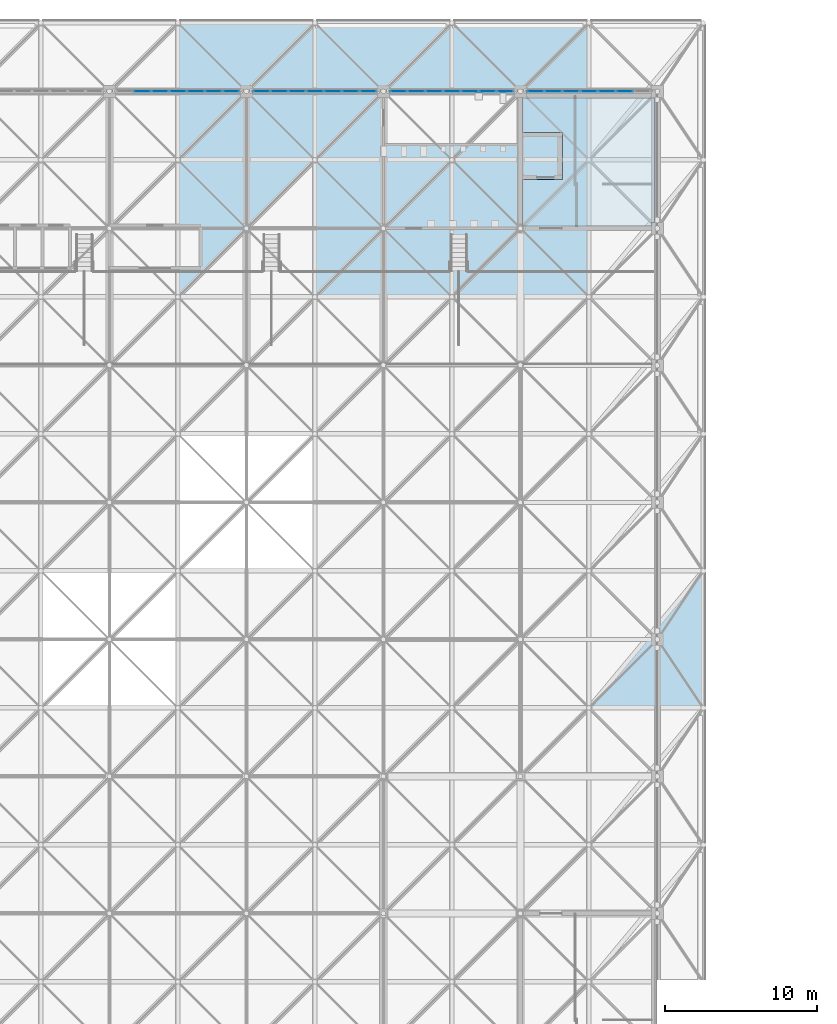
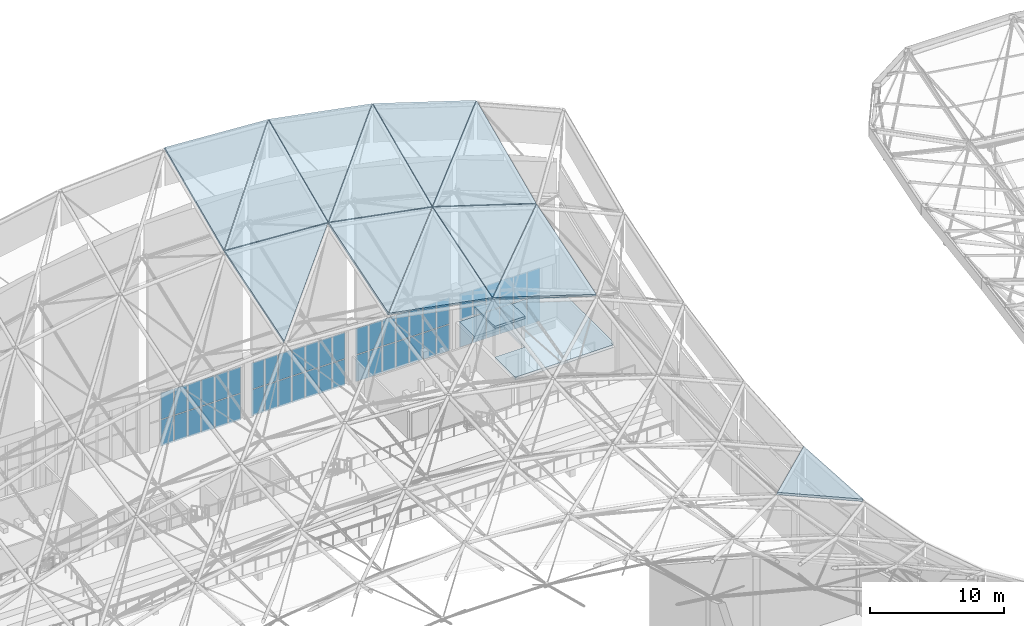
# One storey, part 244 of 437: 52 plates, 14 slabs, 4 elements without a shape of their own.
"""IFC4 building model written with IfcOpenShell, lengths in metres."""

from ifc_helpers import new_model, si_unit, direction, frame, origin, origin_2d, place, context, subcontext, project, spatial, polyline, rectangle, outline, extrude, material, layer, layer_set, type_object, element, aggregate, save


model = new_model("IFC4")

# Units and contexts
model_context = context("Model", 3, precision=1e-05, world=origin(), true_north=direction((0.0, 1.0)))
body_context = subcontext(model_context, "Body", "Model", "MODEL_VIEW")
ifc_project = project(units=[si_unit("LENGTHUNIT", "METRE"), si_unit("AREAUNIT", "SQUARE_METRE"), si_unit("VOLUMEUNIT", "CUBIC_METRE"), si_unit("PLANEANGLEUNIT", "RADIAN"), si_unit("MASSUNIT", "GRAM", prefix="KILO")], contexts=[model_context])

# Site, building, storey
site_placement = place(None, origin())
site = spatial("IfcSite", under=ifc_project, at=site_placement, CompositionType="ELEMENT")
building_placement = place(site_placement, origin())
building = spatial("IfcBuilding", under=site, at=building_placement, Name="Opaline Strait Convention Centre", CompositionType="ELEMENT")
storey_placement = place(building_placement, frame((0.0, 0.0, 11.5)))
storey = spatial("IfcBuildingStorey", under=building, at=storey_placement, Name="L02", CompositionType="ELEMENT", Elevation=11.5)

# Slabs
ifc_material_1 = material(Name="Concrete C35", Category="concrete")
ifc_layer_1 = layer(ifc_material_1, 0.199951171875)
ifc_layer_set_1 = layer_set([ifc_layer_1], Name="Concrete C35")
slab_type_1 = type_object("IfcSlabType", Name="Core roof slab 200", PredefinedType="ROOF", material=ifc_layer_set_1)
slab_1_placement = place(storey_placement, frame((0.0, 0.0, 5.10009765625)))
element("IfcSlab", 1, at=slab_1_placement, inside=storey, type_object=slab_type_1, Name="PFS10 NE lift shaft head slab", PredefinedType="ROOF", context=body_context, shape_type="SweptSolid", body=[
    extrude(outline(polyline([(63.14990234375, 174.199951171875), (65.75, 174.199951171875), (65.75, 177.300048828125), (63.14990234375, 177.300048828125), (63.14990234375, 174.199951171875)])), origin(), (0.0, 0.0, 1.0), 0.199951171875),
])
ifc_layer_2 = layer(ifc_material_1, 0.25)
ifc_layer_set_2 = layer_set([ifc_layer_2], Name="Concrete C35")
slab_type_2 = type_object("IfcSlabType", Name="Core roof slab 250", PredefinedType="ROOF", material=ifc_layer_set_2)
slab_2_placement = place(storey_placement, frame((0.0, 0.0, 2.25)))
element("IfcSlab", 2, at=slab_2_placement, inside=storey, type_object=slab_type_2, Name="PFS10 NE core roof slab", PredefinedType="ROOF", context=body_context, shape_type="SweptSolid", body=[
    extrude(outline(polyline([(63.14990234375, 179.550048828125), (71.800048828125, 179.550048828125), (71.800048828125, 171.39990234375), (71.60009765625, 171.39990234375), (71.60009765625, 171.14990234375), (63.14990234375, 171.14990234375), (63.14990234375, 174.199951171875), (65.75, 174.199951171875), (65.75, 177.300048828125), (63.14990234375, 177.300048828125), (63.14990234375, 179.550048828125)])), origin(), (0.0, 0.0, 1.0), 0.25),
])

# Curtain wall, plates
ifc_material_2 = material(Name="Aluminium framed double glazing", Category="aluminium")
ifc_layer_3 = layer(ifc_material_2, 0.199951171875)
ifc_layer_set_3 = layer_set([ifc_layer_3], Name="Aluminium framed double glazing")
curtain_wall_type = type_object("IfcCurtainWallType", Name="Curtain wall 1250", PredefinedType="NOTDEFINED", material=ifc_layer_set_3)
curtain_wall_1_placement = place(storey_placement, origin())
curtain_wall_1 = element("IfcCurtainWall", 3, at=curtain_wall_1_placement, inside=storey, type_object=curtain_wall_type, Name="Curtain wall N-36-L02", PredefinedType="NOTDEFINED")
ifc_material_3 = material(Name="Double glazed unit low emissivity", Category="glass")
ifc_layer_4 = layer(ifc_material_3, 0.028076171875)
ifc_layer_set_4 = layer_set([ifc_layer_4], Name="Double glazed unit low emissivity")
plate_type = type_object("IfcPlateType", Name="Curtain wall glass panel 28", PredefinedType="CURTAIN_PANEL", material=ifc_layer_set_4)
plate_1_placement = place(storey_placement, frame((38.156982421875, 180.0, -0.219970703125), z_axis=(0.0, 0.0, 1.0), x_axis=(1.0, 0.0, 0.0)))
plate_1 = element("IfcPlate", 4, at=plate_1_placement, type_object=plate_type, Name="PCW panel 2.1", PredefinedType="CURTAIN_PANEL", context=body_context, shape_type="SweptSolid", body=[
    extrude(rectangle(XDim=1.111572265625, YDim=0.028076171875, at=origin_2d()), origin(), (0.0, 0.0, 1.0), 2.39990234375),
])
plate_2_placement = place(storey_placement, frame((38.156982421875, 180.0, 2.239990234375), z_axis=(0.0, 0.0, 1.0), x_axis=(1.0, 0.0, 0.0)))
plate_2 = element("IfcPlate", 5, at=plate_2_placement, type_object=plate_type, Name="PCW panel 2.2", PredefinedType="CURTAIN_PANEL", context=body_context, shape_type="SweptSolid", body=[
    extrude(rectangle(XDim=1.111572265625, YDim=0.028076171875, at=origin_2d()), origin(), (0.0, 0.0, 1.0), 2.39990234375),
])
plate_3_placement = place(storey_placement, frame((39.32861328125, 180.0, -0.219970703125), z_axis=(0.0, 0.0, 1.0), x_axis=(1.0, 0.0, 0.0)))
plate_3 = element("IfcPlate", 6, at=plate_3_placement, type_object=plate_type, Name="PCW panel 3.1", PredefinedType="CURTAIN_PANEL", context=body_context, shape_type="SweptSolid", body=[
    extrude(rectangle(XDim=1.111572265625, YDim=0.028076171875, at=origin_2d()), origin(), (0.0, 0.0, 1.0), 2.39990234375),
])
plate_4_placement = place(storey_placement, frame((39.32861328125, 180.0, 2.239990234375), z_axis=(0.0, 0.0, 1.0), x_axis=(1.0, 0.0, 0.0)))
plate_4 = element("IfcPlate", 7, at=plate_4_placement, type_object=plate_type, Name="PCW panel 3.2", PredefinedType="CURTAIN_PANEL", context=body_context, shape_type="SweptSolid", body=[
    extrude(rectangle(XDim=1.111572265625, YDim=0.028076171875, at=origin_2d()), origin(), (0.0, 0.0, 1.0), 2.39990234375),
])
plate_5_placement = place(storey_placement, frame((40.5, 180.0, -0.219970703125), z_axis=(0.0, 0.0, 1.0), x_axis=(1.0, 0.0, 0.0)))
plate_5 = element("IfcPlate", 8, at=plate_5_placement, type_object=plate_type, Name="PCW panel 4.1", PredefinedType="CURTAIN_PANEL", context=body_context, shape_type="SweptSolid", body=[
    extrude(rectangle(XDim=1.111572265625, YDim=0.028076171875, at=origin_2d()), origin(), (0.0, 0.0, 1.0), 2.39990234375),
])
plate_6_placement = place(storey_placement, frame((40.5, 180.0, 2.239990234375), z_axis=(0.0, 0.0, 1.0), x_axis=(1.0, 0.0, 0.0)))
plate_6 = element("IfcPlate", 9, at=plate_6_placement, type_object=plate_type, Name="PCW panel 4.2", PredefinedType="CURTAIN_PANEL", context=body_context, shape_type="SweptSolid", body=[
    extrude(rectangle(XDim=1.111572265625, YDim=0.028076171875, at=origin_2d()), origin(), (0.0, 0.0, 1.0), 2.39990234375),
])
plate_7_placement = place(storey_placement, frame((41.67138671875, 180.0, -0.219970703125), z_axis=(0.0, 0.0, 1.0), x_axis=(1.0, 0.0, 0.0)))
plate_7 = element("IfcPlate", 10, at=plate_7_placement, type_object=plate_type, Name="PCW panel 5.1", PredefinedType="CURTAIN_PANEL", context=body_context, shape_type="SweptSolid", body=[
    extrude(rectangle(XDim=1.111572265625, YDim=0.028076171875, at=origin_2d()), origin(), (0.0, 0.0, 1.0), 2.39990234375),
])
plate_8_placement = place(storey_placement, frame((41.67138671875, 180.0, 2.239990234375), z_axis=(0.0, 0.0, 1.0), x_axis=(1.0, 0.0, 0.0)))
plate_8 = element("IfcPlate", 11, at=plate_8_placement, type_object=plate_type, Name="PCW panel 5.2", PredefinedType="CURTAIN_PANEL", context=body_context, shape_type="SweptSolid", body=[
    extrude(rectangle(XDim=1.111572265625, YDim=0.028076171875, at=origin_2d()), origin(), (0.0, 0.0, 1.0), 2.39990234375),
])
plate_9_placement = place(storey_placement, frame((42.843017578125, 180.0, -0.219970703125), z_axis=(0.0, 0.0, 1.0), x_axis=(1.0, 0.0, 0.0)))
plate_9 = element("IfcPlate", 12, at=plate_9_placement, type_object=plate_type, Name="PCW panel 6.1", PredefinedType="CURTAIN_PANEL", context=body_context, shape_type="SweptSolid", body=[
    extrude(rectangle(XDim=1.111572265625, YDim=0.028076171875, at=origin_2d()), origin(), (0.0, 0.0, 1.0), 2.39990234375),
])
plate_10_placement = place(storey_placement, frame((42.843017578125, 180.0, 2.239990234375), z_axis=(0.0, 0.0, 1.0), x_axis=(1.0, 0.0, 0.0)))
plate_10 = element("IfcPlate", 13, at=plate_10_placement, type_object=plate_type, Name="PCW panel 6.2", PredefinedType="CURTAIN_PANEL", context=body_context, shape_type="SweptSolid", body=[
    extrude(rectangle(XDim=1.111572265625, YDim=0.028076171875, at=origin_2d()), origin(), (0.0, 0.0, 1.0), 2.39990234375),
])
plate_11_placement = place(storey_placement, frame((43.999267578125, 180.0, -0.219970703125), z_axis=(0.0, 0.0, 1.0), x_axis=(1.0, 0.0, 0.0)))
plate_11 = element("IfcPlate", 14, at=plate_11_placement, type_object=plate_type, Name="PCW panel 7.1", PredefinedType="CURTAIN_PANEL", context=body_context, shape_type="SweptSolid", body=[
    extrude(rectangle(XDim=1.08154296875, YDim=0.028076171875, at=origin_2d()), origin(), (0.0, 0.0, 1.0), 2.39990234375),
])
plate_12_placement = place(storey_placement, frame((43.999267578125, 180.0, 2.239990234375), z_axis=(0.0, 0.0, 1.0), x_axis=(1.0, 0.0, 0.0)))
plate_12 = element("IfcPlate", 15, at=plate_12_placement, type_object=plate_type, Name="PCW panel 7.2", PredefinedType="CURTAIN_PANEL", context=body_context, shape_type="SweptSolid", body=[
    extrude(rectangle(XDim=1.08154296875, YDim=0.028076171875, at=origin_2d()), origin(), (0.0, 0.0, 1.0), 2.39990234375),
])
aggregate(curtain_wall_1, [plate_1, plate_2, plate_3, plate_4, plate_5, plate_6, plate_7, plate_8, plate_9, plate_10, plate_11, plate_12])

curtain_wall_2_placement = place(storey_placement, origin())
curtain_wall_2 = element("IfcCurtainWall", 16, at=curtain_wall_2_placement, inside=storey, type_object=curtain_wall_type, Name="Curtain wall N-45-L02", PredefinedType="NOTDEFINED")
plate_13_placement = place(storey_placement, frame((46.000732421875, 180.0, -0.219970703125), z_axis=(0.0, 0.0, 1.0), x_axis=(1.0, 0.0, 0.0)))
plate_13 = element("IfcPlate", 17, at=plate_13_placement, type_object=plate_type, Name="PCW panel 1.1", PredefinedType="CURTAIN_PANEL", context=body_context, shape_type="SweptSolid", body=[
    extrude(rectangle(XDim=1.08154296875, YDim=0.028076171875, at=origin_2d()), origin(), (0.0, 0.0, 1.0), 2.39990234375),
])
plate_14_placement = place(storey_placement, frame((46.000732421875, 180.0, 2.239990234375), z_axis=(0.0, 0.0, 1.0), x_axis=(1.0, 0.0, 0.0)))
plate_14 = element("IfcPlate", 18, at=plate_14_placement, type_object=plate_type, Name="PCW panel 1.2", PredefinedType="CURTAIN_PANEL", context=body_context, shape_type="SweptSolid", body=[
    extrude(rectangle(XDim=1.08154296875, YDim=0.028076171875, at=origin_2d()), origin(), (0.0, 0.0, 1.0), 2.39990234375),
])
plate_15_placement = place(storey_placement, frame((47.156982421875, 180.0, -0.219970703125), z_axis=(0.0, 0.0, 1.0), x_axis=(1.0, 0.0, 0.0)))
plate_15 = element("IfcPlate", 19, at=plate_15_placement, type_object=plate_type, Name="PCW panel 2.1", PredefinedType="CURTAIN_PANEL", context=body_context, shape_type="SweptSolid", body=[
    extrude(rectangle(XDim=1.111572265625, YDim=0.028076171875, at=origin_2d()), origin(), (0.0, 0.0, 1.0), 2.39990234375),
])
plate_16_placement = place(storey_placement, frame((47.156982421875, 180.0, 2.239990234375), z_axis=(0.0, 0.0, 1.0), x_axis=(1.0, 0.0, 0.0)))
plate_16 = element("IfcPlate", 20, at=plate_16_placement, type_object=plate_type, Name="PCW panel 2.2", PredefinedType="CURTAIN_PANEL", context=body_context, shape_type="SweptSolid", body=[
    extrude(rectangle(XDim=1.111572265625, YDim=0.028076171875, at=origin_2d()), origin(), (0.0, 0.0, 1.0), 2.39990234375),
])
plate_17_placement = place(storey_placement, frame((48.32861328125, 180.0, -0.219970703125), z_axis=(0.0, 0.0, 1.0), x_axis=(1.0, 0.0, 0.0)))
plate_17 = element("IfcPlate", 21, at=plate_17_placement, type_object=plate_type, Name="PCW panel 3.1", PredefinedType="CURTAIN_PANEL", context=body_context, shape_type="SweptSolid", body=[
    extrude(rectangle(XDim=1.111572265625, YDim=0.028076171875, at=origin_2d()), origin(), (0.0, 0.0, 1.0), 2.39990234375),
])
plate_18_placement = place(storey_placement, frame((48.32861328125, 180.0, 2.239990234375), z_axis=(0.0, 0.0, 1.0), x_axis=(1.0, 0.0, 0.0)))
plate_18 = element("IfcPlate", 22, at=plate_18_placement, type_object=plate_type, Name="PCW panel 3.2", PredefinedType="CURTAIN_PANEL", context=body_context, shape_type="SweptSolid", body=[
    extrude(rectangle(XDim=1.111572265625, YDim=0.028076171875, at=origin_2d()), origin(), (0.0, 0.0, 1.0), 2.39990234375),
])
plate_19_placement = place(storey_placement, frame((49.5, 180.0, -0.219970703125), z_axis=(0.0, 0.0, 1.0), x_axis=(1.0, 0.0, 0.0)))
plate_19 = element("IfcPlate", 23, at=plate_19_placement, type_object=plate_type, Name="PCW panel 4.1", PredefinedType="CURTAIN_PANEL", context=body_context, shape_type="SweptSolid", body=[
    extrude(rectangle(XDim=1.111572265625, YDim=0.028076171875, at=origin_2d()), origin(), (0.0, 0.0, 1.0), 2.39990234375),
])
plate_20_placement = place(storey_placement, frame((49.5, 180.0, 2.239990234375), z_axis=(0.0, 0.0, 1.0), x_axis=(1.0, 0.0, 0.0)))
plate_20 = element("IfcPlate", 24, at=plate_20_placement, type_object=plate_type, Name="PCW panel 4.2", PredefinedType="CURTAIN_PANEL", context=body_context, shape_type="SweptSolid", body=[
    extrude(rectangle(XDim=1.111572265625, YDim=0.028076171875, at=origin_2d()), origin(), (0.0, 0.0, 1.0), 2.39990234375),
])
plate_21_placement = place(storey_placement, frame((50.67138671875, 180.0, -0.219970703125), z_axis=(0.0, 0.0, 1.0), x_axis=(1.0, 0.0, 0.0)))
plate_21 = element("IfcPlate", 25, at=plate_21_placement, type_object=plate_type, Name="PCW panel 5.1", PredefinedType="CURTAIN_PANEL", context=body_context, shape_type="SweptSolid", body=[
    extrude(rectangle(XDim=1.111572265625, YDim=0.028076171875, at=origin_2d()), origin(), (0.0, 0.0, 1.0), 2.39990234375),
])
plate_22_placement = place(storey_placement, frame((50.67138671875, 180.0, 2.239990234375), z_axis=(0.0, 0.0, 1.0), x_axis=(1.0, 0.0, 0.0)))
plate_22 = element("IfcPlate", 26, at=plate_22_placement, type_object=plate_type, Name="PCW panel 5.2", PredefinedType="CURTAIN_PANEL", context=body_context, shape_type="SweptSolid", body=[
    extrude(rectangle(XDim=1.111572265625, YDim=0.028076171875, at=origin_2d()), origin(), (0.0, 0.0, 1.0), 2.39990234375),
])
plate_23_placement = place(storey_placement, frame((51.843017578125, 180.0, -0.219970703125), z_axis=(0.0, 0.0, 1.0), x_axis=(1.0, 0.0, 0.0)))
plate_23 = element("IfcPlate", 27, at=plate_23_placement, type_object=plate_type, Name="PCW panel 6.1", PredefinedType="CURTAIN_PANEL", context=body_context, shape_type="SweptSolid", body=[
    extrude(rectangle(XDim=1.111572265625, YDim=0.028076171875, at=origin_2d()), origin(), (0.0, 0.0, 1.0), 2.39990234375),
])
plate_24_placement = place(storey_placement, frame((51.843017578125, 180.0, 2.239990234375), z_axis=(0.0, 0.0, 1.0), x_axis=(1.0, 0.0, 0.0)))
plate_24 = element("IfcPlate", 28, at=plate_24_placement, type_object=plate_type, Name="PCW panel 6.2", PredefinedType="CURTAIN_PANEL", context=body_context, shape_type="SweptSolid", body=[
    extrude(rectangle(XDim=1.111572265625, YDim=0.028076171875, at=origin_2d()), origin(), (0.0, 0.0, 1.0), 2.39990234375),
])
plate_25_placement = place(storey_placement, frame((52.999267578125, 180.0, -0.219970703125), z_axis=(0.0, 0.0, 1.0), x_axis=(1.0, 0.0, 0.0)))
plate_25 = element("IfcPlate", 29, at=plate_25_placement, type_object=plate_type, Name="PCW panel 7.1", PredefinedType="CURTAIN_PANEL", context=body_context, shape_type="SweptSolid", body=[
    extrude(rectangle(XDim=1.08154296875, YDim=0.028076171875, at=origin_2d()), origin(), (0.0, 0.0, 1.0), 2.39990234375),
])
plate_26_placement = place(storey_placement, frame((52.999267578125, 180.0, 2.239990234375), z_axis=(0.0, 0.0, 1.0), x_axis=(1.0, 0.0, 0.0)))
plate_26 = element("IfcPlate", 30, at=plate_26_placement, type_object=plate_type, Name="PCW panel 7.2", PredefinedType="CURTAIN_PANEL", context=body_context, shape_type="SweptSolid", body=[
    extrude(rectangle(XDim=1.08154296875, YDim=0.028076171875, at=origin_2d()), origin(), (0.0, 0.0, 1.0), 2.39990234375),
])
aggregate(curtain_wall_2, [plate_13, plate_14, plate_15, plate_16, plate_17, plate_18, plate_19, plate_20, plate_21, plate_22, plate_23, plate_24, plate_25, plate_26])

curtain_wall_3_placement = place(storey_placement, origin())
curtain_wall_3 = element("IfcCurtainWall", 31, at=curtain_wall_3_placement, inside=storey, type_object=curtain_wall_type, Name="Curtain wall N-54-L02", PredefinedType="NOTDEFINED")
plate_27_placement = place(storey_placement, frame((55.000732421875, 180.0, -0.219970703125), z_axis=(0.0, 0.0, 1.0), x_axis=(1.0, 0.0, 0.0)))
plate_27 = element("IfcPlate", 32, at=plate_27_placement, type_object=plate_type, Name="PCW panel 1.1", PredefinedType="CURTAIN_PANEL", context=body_context, shape_type="SweptSolid", body=[
    extrude(rectangle(XDim=1.08154296875, YDim=0.028076171875, at=origin_2d()), origin(), (0.0, 0.0, 1.0), 2.39990234375),
])
plate_28_placement = place(storey_placement, frame((55.000732421875, 180.0, 2.239990234375), z_axis=(0.0, 0.0, 1.0), x_axis=(1.0, 0.0, 0.0)))
plate_28 = element("IfcPlate", 33, at=plate_28_placement, type_object=plate_type, Name="PCW panel 1.2", PredefinedType="CURTAIN_PANEL", context=body_context, shape_type="SweptSolid", body=[
    extrude(rectangle(XDim=1.08154296875, YDim=0.028076171875, at=origin_2d()), origin(), (0.0, 0.0, 1.0), 2.39990234375),
])
plate_29_placement = place(storey_placement, frame((56.156982421875, 180.0, -0.219970703125), z_axis=(0.0, 0.0, 1.0), x_axis=(1.0, 0.0, 0.0)))
plate_29 = element("IfcPlate", 34, at=plate_29_placement, type_object=plate_type, Name="PCW panel 2.1", PredefinedType="CURTAIN_PANEL", context=body_context, shape_type="SweptSolid", body=[
    extrude(rectangle(XDim=1.111572265625, YDim=0.028076171875, at=origin_2d()), origin(), (0.0, 0.0, 1.0), 2.39990234375),
])
plate_30_placement = place(storey_placement, frame((56.156982421875, 180.0, 2.239990234375), z_axis=(0.0, 0.0, 1.0), x_axis=(1.0, 0.0, 0.0)))
plate_30 = element("IfcPlate", 35, at=plate_30_placement, type_object=plate_type, Name="PCW panel 2.2", PredefinedType="CURTAIN_PANEL", context=body_context, shape_type="SweptSolid", body=[
    extrude(rectangle(XDim=1.111572265625, YDim=0.028076171875, at=origin_2d()), origin(), (0.0, 0.0, 1.0), 2.39990234375),
])
plate_31_placement = place(storey_placement, frame((57.32861328125, 180.0, -0.219970703125), z_axis=(0.0, 0.0, 1.0), x_axis=(1.0, 0.0, 0.0)))
plate_31 = element("IfcPlate", 36, at=plate_31_placement, type_object=plate_type, Name="PCW panel 3.1", PredefinedType="CURTAIN_PANEL", context=body_context, shape_type="SweptSolid", body=[
    extrude(rectangle(XDim=1.111572265625, YDim=0.028076171875, at=origin_2d()), origin(), (0.0, 0.0, 1.0), 2.39990234375),
])
plate_32_placement = place(storey_placement, frame((57.32861328125, 180.0, 2.239990234375), z_axis=(0.0, 0.0, 1.0), x_axis=(1.0, 0.0, 0.0)))
plate_32 = element("IfcPlate", 37, at=plate_32_placement, type_object=plate_type, Name="PCW panel 3.2", PredefinedType="CURTAIN_PANEL", context=body_context, shape_type="SweptSolid", body=[
    extrude(rectangle(XDim=1.111572265625, YDim=0.028076171875, at=origin_2d()), origin(), (0.0, 0.0, 1.0), 2.39990234375),
])
plate_33_placement = place(storey_placement, frame((58.5, 180.0, -0.219970703125), z_axis=(0.0, 0.0, 1.0), x_axis=(1.0, 0.0, 0.0)))
plate_33 = element("IfcPlate", 38, at=plate_33_placement, type_object=plate_type, Name="PCW panel 4.1", PredefinedType="CURTAIN_PANEL", context=body_context, shape_type="SweptSolid", body=[
    extrude(rectangle(XDim=1.111572265625, YDim=0.028076171875, at=origin_2d()), origin(), (0.0, 0.0, 1.0), 2.39990234375),
])
plate_34_placement = place(storey_placement, frame((58.5, 180.0, 2.239990234375), z_axis=(0.0, 0.0, 1.0), x_axis=(1.0, 0.0, 0.0)))
plate_34 = element("IfcPlate", 39, at=plate_34_placement, type_object=plate_type, Name="PCW panel 4.2", PredefinedType="CURTAIN_PANEL", context=body_context, shape_type="SweptSolid", body=[
    extrude(rectangle(XDim=1.111572265625, YDim=0.028076171875, at=origin_2d()), origin(), (0.0, 0.0, 1.0), 2.39990234375),
])
plate_35_placement = place(storey_placement, frame((59.67138671875, 180.0, -0.219970703125), z_axis=(0.0, 0.0, 1.0), x_axis=(1.0, 0.0, 0.0)))
plate_35 = element("IfcPlate", 40, at=plate_35_placement, type_object=plate_type, Name="PCW panel 5.1", PredefinedType="CURTAIN_PANEL", context=body_context, shape_type="SweptSolid", body=[
    extrude(rectangle(XDim=1.111572265625, YDim=0.028076171875, at=origin_2d()), origin(), (0.0, 0.0, 1.0), 2.39990234375),
])
plate_36_placement = place(storey_placement, frame((59.67138671875, 180.0, 2.239990234375), z_axis=(0.0, 0.0, 1.0), x_axis=(1.0, 0.0, 0.0)))
plate_36 = element("IfcPlate", 41, at=plate_36_placement, type_object=plate_type, Name="PCW panel 5.2", PredefinedType="CURTAIN_PANEL", context=body_context, shape_type="SweptSolid", body=[
    extrude(rectangle(XDim=1.111572265625, YDim=0.028076171875, at=origin_2d()), origin(), (0.0, 0.0, 1.0), 2.39990234375),
])
plate_37_placement = place(storey_placement, frame((60.843017578125, 180.0, -0.219970703125), z_axis=(0.0, 0.0, 1.0), x_axis=(1.0, 0.0, 0.0)))
plate_37 = element("IfcPlate", 42, at=plate_37_placement, type_object=plate_type, Name="PCW panel 6.1", PredefinedType="CURTAIN_PANEL", context=body_context, shape_type="SweptSolid", body=[
    extrude(rectangle(XDim=1.111572265625, YDim=0.028076171875, at=origin_2d()), origin(), (0.0, 0.0, 1.0), 2.39990234375),
])
plate_38_placement = place(storey_placement, frame((60.843017578125, 180.0, 2.239990234375), z_axis=(0.0, 0.0, 1.0), x_axis=(1.0, 0.0, 0.0)))
plate_38 = element("IfcPlate", 43, at=plate_38_placement, type_object=plate_type, Name="PCW panel 6.2", PredefinedType="CURTAIN_PANEL", context=body_context, shape_type="SweptSolid", body=[
    extrude(rectangle(XDim=1.111572265625, YDim=0.028076171875, at=origin_2d()), origin(), (0.0, 0.0, 1.0), 2.39990234375),
])
plate_39_placement = place(storey_placement, frame((61.999267578125, 180.0, -0.219970703125), z_axis=(0.0, 0.0, 1.0), x_axis=(1.0, 0.0, 0.0)))
plate_39 = element("IfcPlate", 44, at=plate_39_placement, type_object=plate_type, Name="PCW panel 7.1", PredefinedType="CURTAIN_PANEL", context=body_context, shape_type="SweptSolid", body=[
    extrude(rectangle(XDim=1.08154296875, YDim=0.028076171875, at=origin_2d()), origin(), (0.0, 0.0, 1.0), 2.39990234375),
])
plate_40_placement = place(storey_placement, frame((61.999267578125, 180.0, 2.239990234375), z_axis=(0.0, 0.0, 1.0), x_axis=(1.0, 0.0, 0.0)))
plate_40 = element("IfcPlate", 45, at=plate_40_placement, type_object=plate_type, Name="PCW panel 7.2", PredefinedType="CURTAIN_PANEL", context=body_context, shape_type="SweptSolid", body=[
    extrude(rectangle(XDim=1.08154296875, YDim=0.028076171875, at=origin_2d()), origin(), (0.0, 0.0, 1.0), 2.39990234375),
])
aggregate(curtain_wall_3, [plate_27, plate_28, plate_29, plate_30, plate_31, plate_32, plate_33, plate_34, plate_35, plate_36, plate_37, plate_38, plate_39, plate_40])

curtain_wall_4_placement = place(storey_placement, origin())
curtain_wall_4 = element("IfcCurtainWall", 46, at=curtain_wall_4_placement, inside=storey, type_object=curtain_wall_type, Name="Curtain wall N-63-L02", PredefinedType="NOTDEFINED")
plate_41_placement = place(storey_placement, frame((64.000732421875, 180.0, -0.219970703125), z_axis=(0.0, 0.0, 1.0), x_axis=(1.0, 0.0, 0.0)))
plate_41 = element("IfcPlate", 47, at=plate_41_placement, type_object=plate_type, Name="PCW panel 1.1", PredefinedType="CURTAIN_PANEL", context=body_context, shape_type="SweptSolid", body=[
    extrude(rectangle(XDim=1.08154296875, YDim=0.028076171875, at=origin_2d()), origin(), (0.0, 0.0, 1.0), 2.39990234375),
])
plate_42_placement = place(storey_placement, frame((64.000732421875, 180.0, 2.239990234375), z_axis=(0.0, 0.0, 1.0), x_axis=(1.0, 0.0, 0.0)))
plate_42 = element("IfcPlate", 48, at=plate_42_placement, type_object=plate_type, Name="PCW panel 1.2", PredefinedType="CURTAIN_PANEL", context=body_context, shape_type="SweptSolid", body=[
    extrude(rectangle(XDim=1.08154296875, YDim=0.028076171875, at=origin_2d()), origin(), (0.0, 0.0, 1.0), 2.39990234375),
])
plate_43_placement = place(storey_placement, frame((65.156982421875, 180.0, -0.219970703125), z_axis=(0.0, 0.0, 1.0), x_axis=(1.0, 0.0, 0.0)))
plate_43 = element("IfcPlate", 49, at=plate_43_placement, type_object=plate_type, Name="PCW panel 2.1", PredefinedType="CURTAIN_PANEL", context=body_context, shape_type="SweptSolid", body=[
    extrude(rectangle(XDim=1.111572265625, YDim=0.028076171875, at=origin_2d()), origin(), (0.0, 0.0, 1.0), 2.39990234375),
])
plate_44_placement = place(storey_placement, frame((65.156982421875, 180.0, 2.239990234375), z_axis=(0.0, 0.0, 1.0), x_axis=(1.0, 0.0, 0.0)))
plate_44 = element("IfcPlate", 50, at=plate_44_placement, type_object=plate_type, Name="PCW panel 2.2", PredefinedType="CURTAIN_PANEL", context=body_context, shape_type="SweptSolid", body=[
    extrude(rectangle(XDim=1.111572265625, YDim=0.028076171875, at=origin_2d()), origin(), (0.0, 0.0, 1.0), 2.39990234375),
])
plate_45_placement = place(storey_placement, frame((66.32861328125, 180.0, -0.219970703125), z_axis=(0.0, 0.0, 1.0), x_axis=(1.0, 0.0, 0.0)))
plate_45 = element("IfcPlate", 51, at=plate_45_placement, type_object=plate_type, Name="PCW panel 3.1", PredefinedType="CURTAIN_PANEL", context=body_context, shape_type="SweptSolid", body=[
    extrude(rectangle(XDim=1.111572265625, YDim=0.028076171875, at=origin_2d()), origin(), (0.0, 0.0, 1.0), 2.39990234375),
])
plate_46_placement = place(storey_placement, frame((66.32861328125, 180.0, 2.239990234375), z_axis=(0.0, 0.0, 1.0), x_axis=(1.0, 0.0, 0.0)))
plate_46 = element("IfcPlate", 52, at=plate_46_placement, type_object=plate_type, Name="PCW panel 3.2", PredefinedType="CURTAIN_PANEL", context=body_context, shape_type="SweptSolid", body=[
    extrude(rectangle(XDim=1.111572265625, YDim=0.028076171875, at=origin_2d()), origin(), (0.0, 0.0, 1.0), 2.39990234375),
])
plate_47_placement = place(storey_placement, frame((67.5, 180.0, -0.219970703125), z_axis=(0.0, 0.0, 1.0), x_axis=(1.0, 0.0, 0.0)))
plate_47 = element("IfcPlate", 53, at=plate_47_placement, type_object=plate_type, Name="PCW panel 4.1", PredefinedType="CURTAIN_PANEL", context=body_context, shape_type="SweptSolid", body=[
    extrude(rectangle(XDim=1.111572265625, YDim=0.028076171875, at=origin_2d()), origin(), (0.0, 0.0, 1.0), 2.39990234375),
])
plate_48_placement = place(storey_placement, frame((67.5, 180.0, 2.239990234375), z_axis=(0.0, 0.0, 1.0), x_axis=(1.0, 0.0, 0.0)))
plate_48 = element("IfcPlate", 54, at=plate_48_placement, type_object=plate_type, Name="PCW panel 4.2", PredefinedType="CURTAIN_PANEL", context=body_context, shape_type="SweptSolid", body=[
    extrude(rectangle(XDim=1.111572265625, YDim=0.028076171875, at=origin_2d()), origin(), (0.0, 0.0, 1.0), 2.39990234375),
])
plate_49_placement = place(storey_placement, frame((68.67138671875, 180.0, -0.219970703125), z_axis=(0.0, 0.0, 1.0), x_axis=(1.0, 0.0, 0.0)))
plate_49 = element("IfcPlate", 55, at=plate_49_placement, type_object=plate_type, Name="PCW panel 5.1", PredefinedType="CURTAIN_PANEL", context=body_context, shape_type="SweptSolid", body=[
    extrude(rectangle(XDim=1.111572265625, YDim=0.028076171875, at=origin_2d()), origin(), (0.0, 0.0, 1.0), 2.39990234375),
])
plate_50_placement = place(storey_placement, frame((68.67138671875, 180.0, 2.239990234375), z_axis=(0.0, 0.0, 1.0), x_axis=(1.0, 0.0, 0.0)))
plate_50 = element("IfcPlate", 56, at=plate_50_placement, type_object=plate_type, Name="PCW panel 5.2", PredefinedType="CURTAIN_PANEL", context=body_context, shape_type="SweptSolid", body=[
    extrude(rectangle(XDim=1.111572265625, YDim=0.028076171875, at=origin_2d()), origin(), (0.0, 0.0, 1.0), 2.39990234375),
])
plate_51_placement = place(storey_placement, frame((69.843017578125, 180.0, -0.219970703125), z_axis=(0.0, 0.0, 1.0), x_axis=(1.0, 0.0, 0.0)))
plate_51 = element("IfcPlate", 57, at=plate_51_placement, type_object=plate_type, Name="PCW panel 6.1", PredefinedType="CURTAIN_PANEL", context=body_context, shape_type="SweptSolid", body=[
    extrude(rectangle(XDim=1.111572265625, YDim=0.028076171875, at=origin_2d()), origin(), (0.0, 0.0, 1.0), 2.39990234375),
])
plate_52_placement = place(storey_placement, frame((69.843017578125, 180.0, 2.239990234375), z_axis=(0.0, 0.0, 1.0), x_axis=(1.0, 0.0, 0.0)))
plate_52 = element("IfcPlate", 58, at=plate_52_placement, type_object=plate_type, Name="PCW panel 6.2", PredefinedType="CURTAIN_PANEL", context=body_context, shape_type="SweptSolid", body=[
    extrude(rectangle(XDim=1.111572265625, YDim=0.028076171875, at=origin_2d()), origin(), (0.0, 0.0, 1.0), 2.39990234375),
])
aggregate(curtain_wall_4, [plate_41, plate_42, plate_43, plate_44, plate_45, plate_46, plate_47, plate_48, plate_49, plate_50, plate_51, plate_52])

# Slabs
ifc_material_4 = material(Name="Steel Q235-B profiled roof deck with insulation and membrane", Category="steel")
ifc_layer_5 = layer(ifc_material_4, 0.199951171875)
ifc_layer_set_5 = layer_set([ifc_layer_5], Name="Steel Q235-B profiled roof deck with insulation and membrane")
slab_type_3 = type_object("IfcSlabType", Name="Shell roof deck panel 200", PredefinedType="ROOF", material=ifc_layer_set_5)
slab_3_placement = place(storey_placement, frame((40.523193359375, 166.546142578125, 16.509033203125), z_axis=(0.060417105682, -0.30203351196, 0.95138085486), x_axis=(0.695973656748, 0.695973656748, 0.176752194401)))
element("IfcSlab", 59, at=slab_3_placement, inside=storey, type_object=slab_type_3, Name="PRD1 roof deck 5-7b", PredefinedType="ROOF", context=body_context, shape_type="SweptSolid", body=[
    extrude(outline(polyline([(0.0, 0.0), (12.831899563884445, -2.220446049250313e-16), (6.7166356439017605, 6.533142739855235), (0.0, 0.0)])), origin(), (0.0, 0.0, -1.0), 0.199951171875),
])
slab_4_placement = place(storey_placement, frame((40.546142578125, 175.523193359375, 19.369384765625), z_axis=(0.057909412182, -0.405440703636, 0.912285227226), x_axis=(0.997991383615, 0.0, -0.063349808441)))
element("IfcSlab", 60, at=slab_4_placement, inside=storey, type_object=slab_type_3, Name="PRD1 roof deck 5-8a", PredefinedType="ROOF", context=body_context, shape_type="SweptSolid", body=[
    extrude(outline(polyline([(0.0, 0.0), (8.94863844429923, 0.0), (8.697203425789015, 9.769670184658812), (0.0, 0.0)])), origin(), (0.0, 0.0, -1.0), 0.199951171875),
])
slab_5_placement = place(storey_placement, frame((40.523193359375, 175.546142578125, 19.381103515625), z_axis=(0.05793368214, -0.405460957481, 0.912274684748), x_axis=(0.682769682417, 0.682769682417, 0.260098292085)))
element("IfcSlab", 61, at=slab_5_placement, inside=storey, type_object=slab_type_3, Name="PRD1 roof deck 5-8b", PredefinedType="ROOF", context=body_context, shape_type="SweptSolid", body=[
    extrude(outline(polyline([(0.0, 0.0), (13.080053629346004, -8.881784197001252e-16), (7.129978763554115, 6.683937160225012), (0.0, 0.0)])), origin(), (0.0, 0.0, -1.0), 0.199951171875),
])
slab_6_placement = place(storey_placement, frame((49.546142578125, 166.523193359375, 15.926025390625), z_axis=(0.178613194624, -0.297697203384, 0.937802592129), x_axis=(0.982341621958, 0.0, -0.187096065615)))
element("IfcSlab", 62, at=slab_6_placement, inside=storey, type_object=slab_type_3, Name="PRD1 roof deck 6-7a", PredefinedType="ROOF", context=body_context, shape_type="SweptSolid", body=[
    extrude(outline(polyline([(0.0, 0.0), (9.091199907316696, 0.0), (8.560789869739295, 9.354807817716889), (0.0, 0.0)])), origin(), (0.0, 0.0, -1.0), 0.199951171875),
])
slab_7_placement = place(storey_placement, frame((49.523193359375, 166.546142578125, 15.937744140625), z_axis=(0.178611831392, -0.297720568101, 0.937795434525), x_axis=(0.70427226774, 0.70427226774, 0.089449124)))
element("IfcSlab", 63, at=slab_7_placement, inside=storey, type_object=slab_type_3, Name="PRD1 roof deck 6-7b", PredefinedType="ROOF", context=body_context, shape_type="SweptSolid", body=[
    extrude(outline(polyline([(0.0, 0.0), (12.680698178215684, -3.885780586188048e-16), (6.5432256423207695, 6.706813447974436), (0.0, 0.0)])), origin(), (0.0, 0.0, -1.0), 0.199951171875),
])
slab_8_placement = place(storey_placement, frame((49.546142578125, 175.523193359375, 18.794921875), z_axis=(0.171465910927, -0.400128144087, 0.900276018618), x_axis=(0.982341621958, 0.0, -0.187096065615)))
element("IfcSlab", 64, at=slab_8_placement, inside=storey, type_object=slab_type_3, Name="PRD1 roof deck 6-8a", PredefinedType="ROOF", context=body_context, shape_type="SweptSolid", body=[
    extrude(outline(polyline([(0.0, 0.0), (9.091199907316696, -1.1102230246251565e-16), (8.348571041407864, 9.744748098236734), (0.0, 0.0)])), origin(), (0.0, 0.0, -1.0), 0.199951171875),
])
slab_9_placement = place(storey_placement, frame((49.523193359375, 175.546142578125, 18.809814453125), z_axis=(0.171467599431, -0.400107472936, 0.900284884049), x_axis=(0.695973656748, 0.695973656748, 0.176752194401)))
element("IfcSlab", 65, at=slab_9_placement, inside=storey, type_object=slab_type_3, Name="PRD1 roof deck 6-8b", PredefinedType="ROOF", context=body_context, shape_type="SweptSolid", body=[
    extrude(outline(polyline([(0.0, 0.0), (12.831899563884445, 7.771561172376096e-16), (6.917035348686505, 6.903933449169825), (0.0, 0.0)])), origin(), (0.0, 0.0, -1.0), 0.199951171875),
])
slab_10_placement = place(storey_placement, frame((58.546142578125, 166.523193359375, 14.2119140625), z_axis=(0.289618114012, -0.289618114012, 0.912273366964), x_axis=(0.953122000875, 0.0, -0.302586271082)))
element("IfcSlab", 66, at=slab_10_placement, inside=storey, type_object=slab_type_3, Name="PRD1 roof deck 7-7a", PredefinedType="ROOF", context=body_context, shape_type="SweptSolid", body=[
    extrude(outline(polyline([(0.0, 0.0), (9.369906532738456, 2.220446049250313e-16), (8.51201240039683, 9.330550149372147), (0.0, 0.0)])), origin(), (0.0, 0.0, -1.0), 0.199951171875),
])
slab_11_placement = place(storey_placement, frame((58.523193359375, 166.546142578125, 14.2265625), z_axis=(0.289618114012, -0.289618114012, 0.912273366964), x_axis=(0.707106781187, 0.707106781187, 0.0)))
element("IfcSlab", 67, at=slab_11_placement, inside=storey, type_object=slab_type_3, Name="PRD1 roof deck 7-7b", PredefinedType="ROOF", context=body_context, shape_type="SweptSolid", body=[
    extrude(outline(polyline([(0.0, 0.0), (12.629866238185503, 0.0), (6.314933119092752, 6.922193881540757), (0.0, 0.0)])), origin(), (0.0, 0.0, -1.0), 0.199951171875),
])
slab_12_placement = place(storey_placement, frame((58.546142578125, 175.523193359375, 17.08056640625), z_axis=(0.278598640449, -0.390042895089, 0.877638500483), x_axis=(0.953129515183, 0.0, -0.30256260061)))
element("IfcSlab", 68, at=slab_12_placement, inside=storey, type_object=slab_type_3, Name="PRD1 roof deck 7-8a", PredefinedType="ROOF", context=body_context, shape_type="SweptSolid", body=[
    extrude(outline(polyline([(0.0, 0.0), (9.36983266202657, 2.220446049250313e-16), (8.168963473034607, 9.698844687717934), (0.0, 0.0)])), origin(), (0.0, 0.0, -1.0), 0.199951171875),
])
slab_13_placement = place(storey_placement, frame((58.523193359375, 175.546142578125, 17.09814453125), z_axis=(0.278596033271, -0.390063237076, 0.87763028738), x_axis=(0.70427226774, 0.70427226774, 0.089449124)))
element("IfcSlab", 69, at=slab_13_placement, inside=storey, type_object=slab_type_3, Name="PRD1 roof deck 7-8b", PredefinedType="ROOF", context=body_context, shape_type="SweptSolid", body=[
    extrude(outline(polyline([(0.0, 0.0), (12.680698178215684, -6.661338147750939e-16), (6.644663918927234, 7.166592951680459), (0.0, 0.0)])), origin(), (0.0, 0.0, -1.0), 0.199951171875),
])
slab_14_placement = place(storey_placement, frame((67.53857421875, 139.523193359375, 9.62890625), z_axis=(0.397356792531, 0.058158786698, 0.915819379004), x_axis=(0.917372173394, 0.0, -0.398030520792)))
element("IfcSlab", 70, at=slab_14_placement, inside=storey, type_object=slab_type_3, Name="PRD1 roof deck 8-4a", PredefinedType="ROOF", context=body_context, shape_type="SweptSolid", body=[
    extrude(outline(polyline([(0.0, 0.0), (8.112453034563291, 0.0), (8.338191535491129, 8.945806224123347), (0.0, 0.0)])), origin(), (0.0, 0.0, -1.0), 0.199951171875),
])

save(model, "model.ifc")
